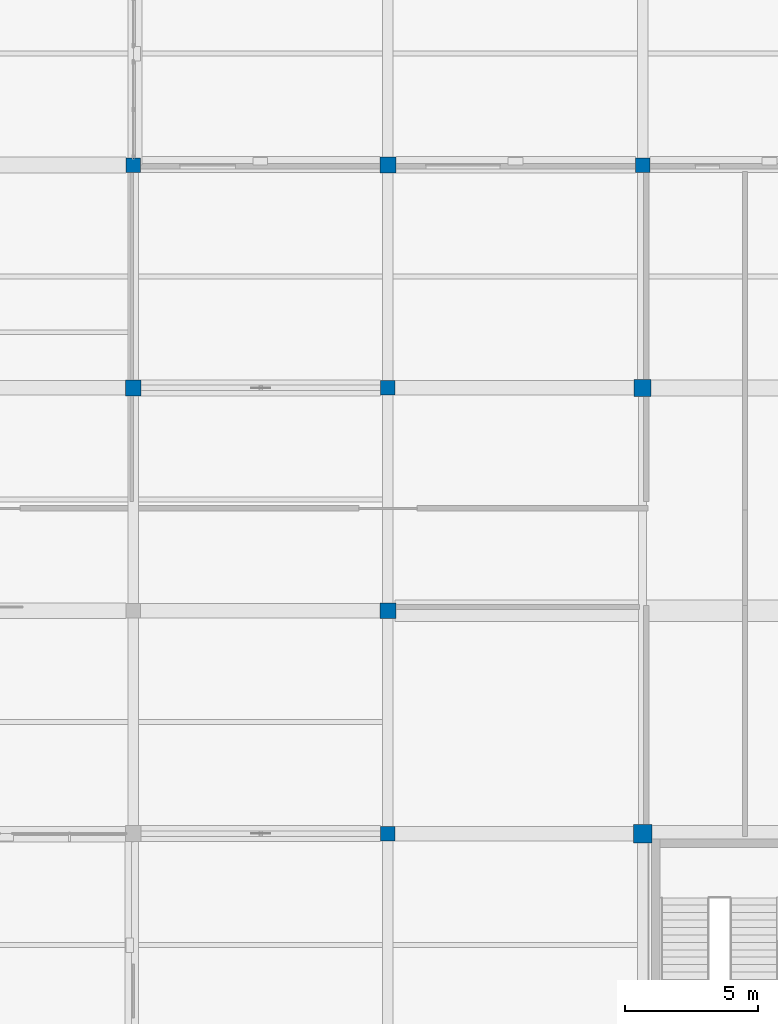
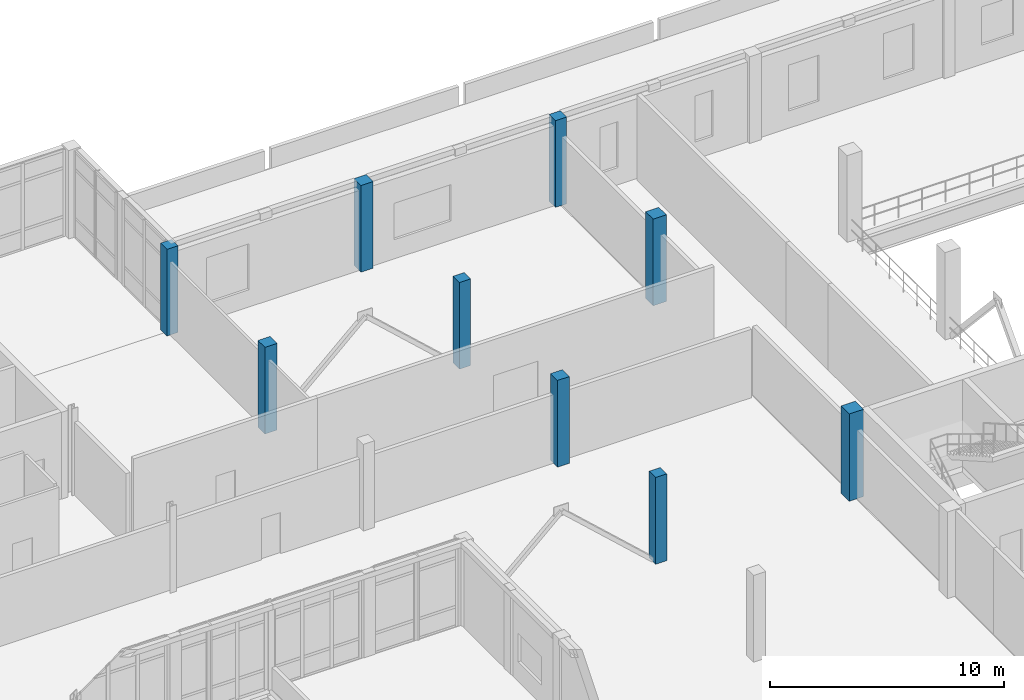
# One storey, part 4 of 88: 9 columns.
"""IFC4 building model written with IfcOpenShell, lengths in metres."""

from ifc_helpers import new_model, si_unit, direction, frame, origin, origin_2d, place, context, subcontext, project, spatial, rectangle, extrude, material, material_profile, profile_set, type_object, element, save


model = new_model("IFC4")

# Units and contexts
model_context = context("Model", 3, precision=1e-05, world=origin(), true_north=direction((0.0, 1.0)))
body_context = subcontext(model_context, "Body", "Model", "MODEL_VIEW")
ifc_project = project(units=[si_unit("LENGTHUNIT", "METRE"), si_unit("AREAUNIT", "SQUARE_METRE"), si_unit("VOLUMEUNIT", "CUBIC_METRE"), si_unit("PLANEANGLEUNIT", "RADIAN"), si_unit("MASSUNIT", "GRAM", prefix="KILO")], contexts=[model_context])

# Site, building, storey
site_placement = place(None, origin())
site = spatial("IfcSite", under=ifc_project, at=site_placement, CompositionType="ELEMENT")
building_placement = place(site_placement, origin())
building = spatial("IfcBuilding", under=site, at=building_placement, Name="Lornevale Opera House", CompositionType="ELEMENT")
storey_placement = place(building_placement, frame((0.0, 0.0, 10.199951171875)))
storey = spatial("IfcBuildingStorey", under=building, at=storey_placement, Name="L03", CompositionType="ELEMENT", Elevation=10.199951171875)

# Columns
ifc_material_1 = material(Name="Concrete 35 MPa (CSA A23.1 N)", Category="concrete")
ifc_material_profile_1 = material_profile(ifc_material_1, rectangle(XDim=0.550048828125, YDim=0.550048828125, at=origin_2d()), Name="RC550x550")
ifc_profile_set_1 = profile_set([ifc_material_profile_1], Name="Concrete 35 MPa (CSA A23.1 N)")
column_type_1 = type_object("IfcColumnType", Name="Concrete Column 550x550", PredefinedType="COLUMN", material=ifc_profile_set_1)
for number, where, z_axis, x_axis, name in (
    (1, (38.39990234375, 92.39990234375, 0.0), (0.0, 0.0, 1.0), (1.0, 0.0, 0.0), "Concrete Column 550x550 0274"),
    (2, (48.0, 67.199951171875, 0.0), (0.0, 0.0, 1.0), (1.0, 0.0, 0.0), "Concrete Column 550x550 0323"),
    (3, (48.0, 84.0, 0.0), (0.0, 0.0, 1.0), (1.0, 0.0, 0.0), "Concrete Column 550x550 0333"),
    (4, (57.60009765625, 92.39990234375, 0.0), (0.0, 0.0, 1.0), (1.0, 0.0, 0.0), "Concrete Column 550x550 0405"),
):
    element("IfcColumn", number, at=place(storey_placement, frame(where, z_axis=z_axis, x_axis=x_axis)), inside=storey, type_object=column_type_1, Name=name, PredefinedType="COLUMN", context=body_context, shape_type="SweptSolid", body=[
        extrude(rectangle(XDim=0.550048828125, YDim=0.550048828125, at=origin_2d()), origin(), (0.0, 0.0, 1.0), 4.530029296875),
    ])
ifc_material_profile_2 = material_profile(ifc_material_1, rectangle(XDim=0.60009765625, YDim=0.60009765625, at=origin_2d()), Name="RC600x600")
ifc_profile_set_2 = profile_set([ifc_material_profile_2], Name="Concrete 35 MPa (CSA A23.1 N)")
column_type_2 = type_object("IfcColumnType", Name="Concrete Column 600x600", PredefinedType="COLUMN", material=ifc_profile_set_2)
for number, where, z_axis, x_axis, name in (
    (5, (38.39990234375, 84.0, 0.0), (0.0, 0.0, 1.0), (1.0, 0.0, 0.0), "Concrete Column 600x600 0269"),
    (6, (48.0, 75.60009765625, 0.0), (0.0, 0.0, 1.0), (1.0, 0.0, 0.0), "Concrete Column 600x600 0328"),
    (7, (48.0, 92.39990234375, 0.0), (0.0, 0.0, 1.0), (1.0, 0.0, 0.0), "Concrete Column 600x600 0338"),
):
    element("IfcColumn", number, at=place(storey_placement, frame(where, z_axis=z_axis, x_axis=x_axis)), inside=storey, type_object=column_type_2, Name=name, PredefinedType="COLUMN", context=body_context, shape_type="SweptSolid", body=[
        extrude(rectangle(XDim=0.60009765625, YDim=0.60009765625, at=origin_2d()), origin(), (0.0, 0.0, 1.0), 4.530029296875),
    ])
ifc_material_2 = material(Name="Concrete 40 MPa (CSA A23.1 C-1)", Category="concrete")
ifc_material_profile_3 = material_profile(ifc_material_2, rectangle(XDim=0.64990234375, YDim=0.64990234375, at=origin_2d()), Name="RC650x650")
ifc_profile_set_3 = profile_set([ifc_material_profile_3], Name="Concrete 40 MPa (CSA A23.1 C-1)")
column_type_3 = type_object("IfcColumnType", Name="Concrete Column 650x650", PredefinedType="COLUMN", material=ifc_profile_set_3)
column_1_placement = place(storey_placement, frame((57.60009765625, 84.0, 0.0), z_axis=(0.0, 0.0, 1.0), x_axis=(1.0, 0.0, 0.0)))
element("IfcColumn", 8, at=column_1_placement, inside=storey, type_object=column_type_3, Name="Concrete Column 650x650 0399", PredefinedType="COLUMN", context=body_context, shape_type="SweptSolid", body=[
    extrude(rectangle(XDim=0.64990234375, YDim=0.64990234375, at=origin_2d()), origin(), (0.0, 0.0, 1.0), 4.530029296875),
])
ifc_material_profile_4 = material_profile(ifc_material_2, rectangle(XDim=0.699951171875, YDim=0.699951171875, at=origin_2d()), Name="RC700x700")
ifc_profile_set_4 = profile_set([ifc_material_profile_4], Name="Concrete 40 MPa (CSA A23.1 C-1)")
column_type_4 = type_object("IfcColumnType", Name="Concrete Column 700x700", PredefinedType="COLUMN", material=ifc_profile_set_4)
column_2_placement = place(storey_placement, frame((57.60009765625, 67.199951171875, 0.0), z_axis=(0.0, 0.0, 1.0), x_axis=(1.0, 0.0, 0.0)))
element("IfcColumn", 9, at=column_2_placement, inside=storey, type_object=column_type_4, Name="Concrete Column 700x700 0390", PredefinedType="COLUMN", context=body_context, shape_type="SweptSolid", body=[
    extrude(rectangle(XDim=0.699951171875, YDim=0.699951171875, at=origin_2d()), origin(), (0.0, 0.0, 1.0), 4.56005859375),
])

save(model, "model.ifc")
